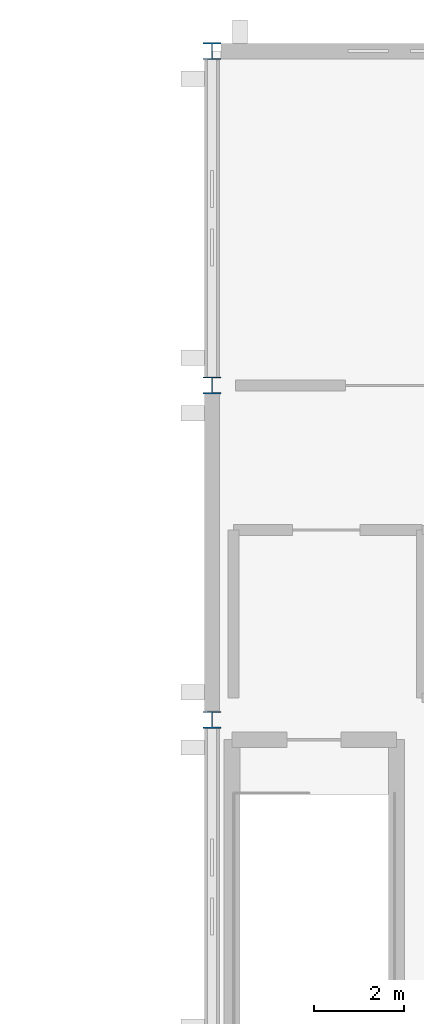
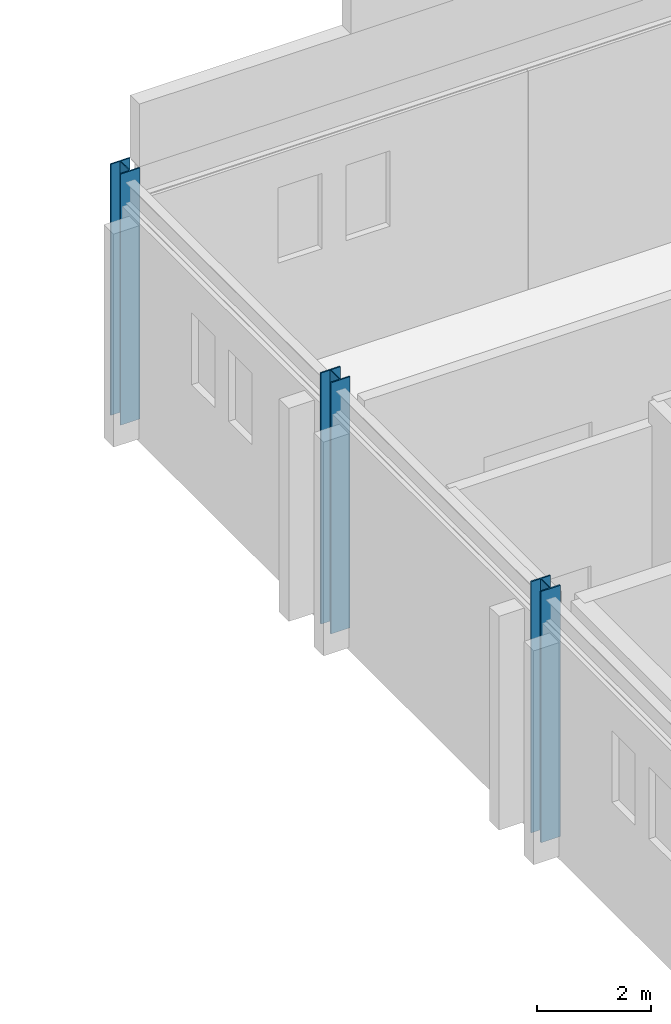
# One storey, part 2 of 10: 3 columns.
"""IFC4 building model written with IfcOpenShell, lengths in metres."""

from ifc_helpers import new_model, si_unit, direction, frame, origin, origin_2d, place, context, subcontext, project, spatial, i_section, extrude, material, material_profile, profile_set, type_object, element, save


model = new_model("IFC4")

# Units and contexts
model_context = context("Model", 3, precision=1e-05, world=origin(), true_north=direction((0.0, 1.0)))
body_context = subcontext(model_context, "Body", "Model", "MODEL_VIEW")
ifc_project = project(units=[si_unit("LENGTHUNIT", "METRE"), si_unit("AREAUNIT", "SQUARE_METRE"), si_unit("VOLUMEUNIT", "CUBIC_METRE"), si_unit("PLANEANGLEUNIT", "RADIAN"), si_unit("MASSUNIT", "GRAM", prefix="KILO")], contexts=[model_context])

# Site, building, storey
site_placement = place(None, origin())
site = spatial("IfcSite", under=ifc_project, at=site_placement, CompositionType="ELEMENT")
building_placement = place(site_placement, origin())
building = spatial("IfcBuilding", under=site, at=building_placement, Name="Cimatlan Art Gallery", CompositionType="ELEMENT")
storey_placement = place(building_placement, frame((0.0, 0.0, 21.0)))
storey = spatial("IfcBuildingStorey", under=building, at=storey_placement, Name="L05", CompositionType="ELEMENT", Elevation=21.0)

# Columns
ifc_material = material(Name="Steel ASTM A992 Grade 50", Category="steel")
ifc_material_profile = material_profile(ifc_material, i_section(OverallWidth=0.39404296875, OverallDepth=0.3759765625, WebThickness=0.017333984375, FlangeThickness=0.027587890625, at=origin_2d()), Name="W14X145")
ifc_profile_set = profile_set([ifc_material_profile], Name="Steel ASTM A992 Grade 50")
column_type = type_object("IfcColumnType", Name="COL-STL-W14X145", PredefinedType="COLUMN", material=ifc_profile_set)
for number, where, z_axis, x_axis, name in (
    (1, (74.89990234375, 68.300048828125, 0.0), (0.0, 0.0, 1.0), (1.0, 0.0, 0.0), "COL-L05-09-09"),
    (2, (74.89990234375, 75.699951171875, 0.0), (0.0, 0.0, 1.0), (1.0, 0.0, 0.0), "COL-L05-09-10"),
    (3, (74.89990234375, 83.10009765625, 0.0), (0.0, 0.0, 1.0), (1.0, 0.0, 0.0), "COL-L05-09-11"),
):
    element("IfcColumn", number, at=place(storey_placement, frame(where, z_axis=z_axis, x_axis=x_axis)), inside=storey, type_object=column_type, Name=name, PredefinedType="COLUMN", context=body_context, shape_type="SweptSolid", body=[
        extrude(i_section(OverallWidth=0.39404296875, OverallDepth=0.3759765625, WebThickness=0.017333984375, FlangeThickness=0.027587890625, at=origin_2d()), origin(), (0.0, 0.0, 1.0), 5.39990234375),
    ])

save(model, "model.ifc")
